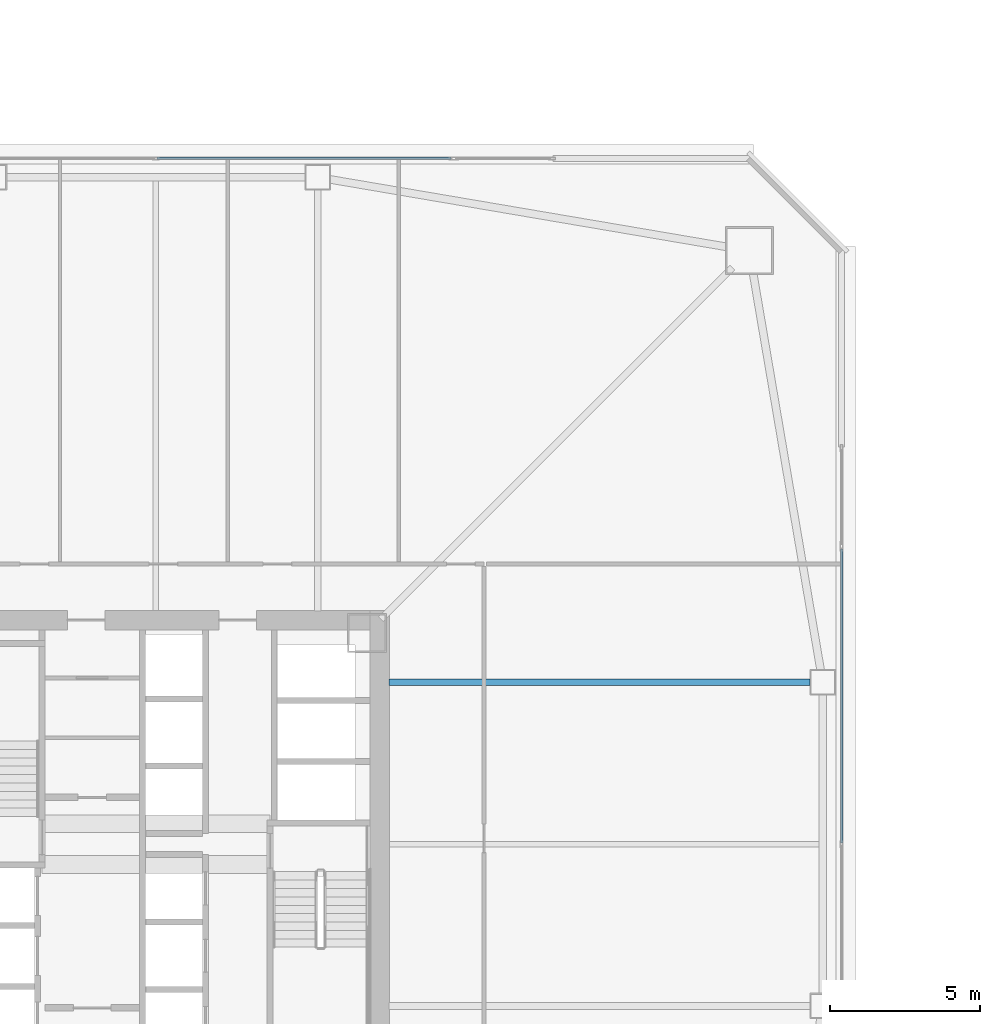
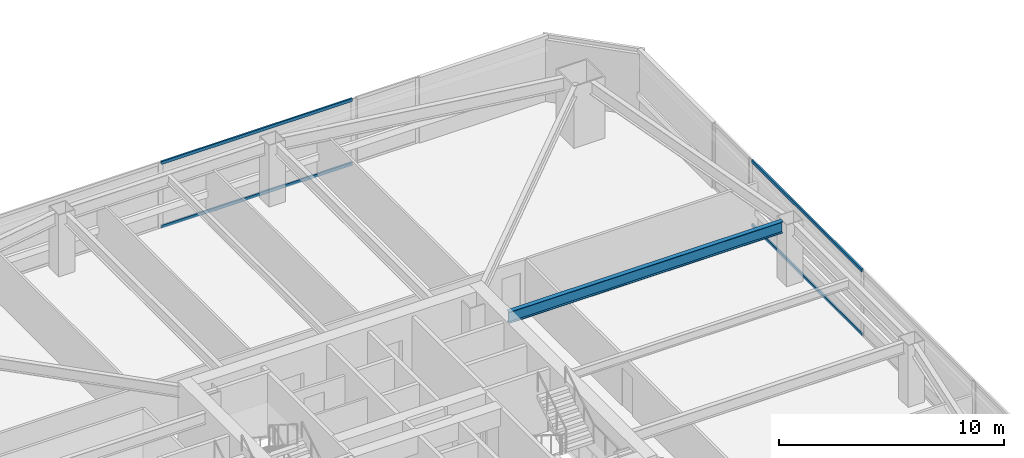
# One storey, part 16 of 48: 4 members, 1 beam, 2 elements without a shape of their own.
"""IFC4 building model written with IfcOpenShell, lengths in metres."""

from ifc_helpers import new_model, si_unit, direction, frame, origin, origin_2d, place, context, subcontext, project, spatial, hollow_rectangle, i_section, extrude, material, material_profile, profile_set, type_object, element, aggregate, save


model = new_model("IFC4")

# Units and contexts
model_context = context("Model", 3, precision=1e-05, world=origin(), true_north=direction((0.0, 1.0)))
body_context = subcontext(model_context, "Body", "Model", "MODEL_VIEW")
ifc_project = project(units=[si_unit("LENGTHUNIT", "METRE"), si_unit("AREAUNIT", "SQUARE_METRE"), si_unit("VOLUMEUNIT", "CUBIC_METRE"), si_unit("PLANEANGLEUNIT", "RADIAN"), si_unit("MASSUNIT", "GRAM", prefix="KILO")], contexts=[model_context])

# Site, building, storey
site_placement = place(None, origin())
site = spatial("IfcSite", under=ifc_project, at=site_placement, CompositionType="ELEMENT")
building_placement = place(site_placement, origin())
building = spatial("IfcBuilding", under=site, at=building_placement, Name="Tashvorn Skyway Center", CompositionType="ELEMENT")
storey_placement = place(building_placement, frame((0.0, 0.0, 56.550048828125)))
storey = spatial("IfcBuildingStorey", under=building, at=storey_placement, Name="L14", CompositionType="ELEMENT", Elevation=56.550048828125)

# Beam
ifc_material_1 = material(Name="Steel ASTM A992 Grade 50", Category="steel")
ifc_material_profile_1 = material_profile(ifc_material_1, i_section(OverallWidth=0.22998046875, OverallDepth=0.616943359375, WebThickness=0.01318359375, FlangeThickness=0.022216796875, at=origin_2d()), Name="W24X94")
ifc_profile_set_1 = profile_set([ifc_material_profile_1], Name="Steel ASTM A992 Grade 50")
beam_type = type_object("IfcBeamType", Name="BM-BEAM-W24X94", PredefinedType="BEAM", material=ifc_profile_set_1)
beam_placement = place(storey_placement, frame((63.830078125, 37.39990234375, 3.04150390625), z_axis=(-1.0, 0.0, 0.0), x_axis=(0.0, -1.0, 0.0)))
element("IfcBeam", 1, at=beam_placement, inside=storey, type_object=beam_type, Name="Tower 1 L14 Primary Floor Girder FC-E2", PredefinedType="BEAM", context=body_context, shape_type="SweptSolid", body=[
    extrude(i_section(OverallWidth=0.22998046875, OverallDepth=0.616943359375, WebThickness=0.01318359375, FlangeThickness=0.022216796875, at=origin_2d()), origin(), (0.0, 0.0, 1.0), 14.050048828125),
])

# Curtain wall, members
ifc_material_2 = material(Name="Thermally broken bronze-anodized aluminium 6063-T6", Category="aluminium")
curtain_wall_type = type_object("IfcCurtainWallType", Name="CW-CW-Z1", PredefinedType="NOTDEFINED", material=ifc_material_2)
curtain_wall_1_placement = place(storey_placement, origin())
curtain_wall_1 = element("IfcCurtainWall", 2, at=curtain_wall_1_placement, inside=storey, type_object=curtain_wall_type, Name="Tower 1 L14 North Unitised Curtain Wall Glazing Group 2", PredefinedType="NOTDEFINED")
ifc_material_profile_2 = material_profile(ifc_material_2, hollow_rectangle(XDim=0.0849609375, YDim=0.1650390625, WallThickness=0.0048828125, at=origin_2d()), Name="ALU-TRAN-85x165")
ifc_profile_set_2 = profile_set([ifc_material_profile_2], Name="Thermally broken bronze-anodized aluminium 6063-T6")
member_type = type_object("IfcMemberType", Name="CWT-CW-Z1", PredefinedType="USERDEFINED", material=ifc_profile_set_2)
member_1_placement = place(storey_placement, frame((42.04248046875, 54.8798828125, 0.04248046875), z_axis=(1.0, 0.0, 0.0), x_axis=(0.0, 1.0, 0.0)))
member_1 = element("IfcMember", 3, at=member_1_placement, type_object=member_type, Name="CW-Z1 transom 2.1", ObjectType="TRANSOM", PredefinedType="USERDEFINED", context=body_context, shape_type="SweptSolid", body=[
    extrude(hollow_rectangle(XDim=0.0849609375, YDim=0.1650390625, WallThickness=0.0048828125, at=origin_2d()), origin(), (0.0, 0.0, 1.0), 9.8125),
])
member_2_placement = place(storey_placement, frame((42.04248046875, 54.8798828125, 3.507568359375), z_axis=(1.0, 0.0, 0.0), x_axis=(0.0, 1.0, 0.0)))
member_2 = element("IfcMember", 4, at=member_2_placement, type_object=member_type, Name="CW-Z1 transom 2.2", ObjectType="TRANSOM", PredefinedType="USERDEFINED", context=body_context, shape_type="SweptSolid", body=[
    extrude(hollow_rectangle(XDim=0.0849609375, YDim=0.1650390625, WallThickness=0.0048828125, at=origin_2d()), origin(), (0.0, 0.0, 1.0), 9.8125),
])
aggregate(curtain_wall_1, [member_1, member_2])

curtain_wall_2_placement = place(storey_placement, origin())
curtain_wall_2 = element("IfcCurtainWall", 5, at=curtain_wall_2_placement, inside=storey, type_object=curtain_wall_type, Name="Tower 1 L14 East Unitised Curtain Wall Glazing Group 2", PredefinedType="NOTDEFINED")
member_3_placement = place(storey_placement, frame((64.8798828125, 41.85498046875, 0.04248046875), z_axis=(0.0, -1.0, 0.0), x_axis=(1.0, 0.0, 0.0)))
member_3 = element("IfcMember", 6, at=member_3_placement, type_object=member_type, Name="CW-Z1 transom 1.1", ObjectType="TRANSOM", PredefinedType="USERDEFINED", context=body_context, shape_type="SweptSolid", body=[
    extrude(hollow_rectangle(XDim=0.0849609375, YDim=0.1650390625, WallThickness=0.0048828125, at=origin_2d()), origin(), (0.0, 0.0, 1.0), 9.8125),
])
member_4_placement = place(storey_placement, frame((64.8798828125, 41.85498046875, 3.507568359375), z_axis=(0.0, -1.0, 0.0), x_axis=(1.0, 0.0, 0.0)))
member_4 = element("IfcMember", 7, at=member_4_placement, type_object=member_type, Name="CW-Z1 transom 1.2", ObjectType="TRANSOM", PredefinedType="USERDEFINED", context=body_context, shape_type="SweptSolid", body=[
    extrude(hollow_rectangle(XDim=0.0849609375, YDim=0.1650390625, WallThickness=0.0048828125, at=origin_2d()), origin(), (0.0, 0.0, 1.0), 9.8125),
])
aggregate(curtain_wall_2, [member_3, member_4])

save(model, "model.ifc")
